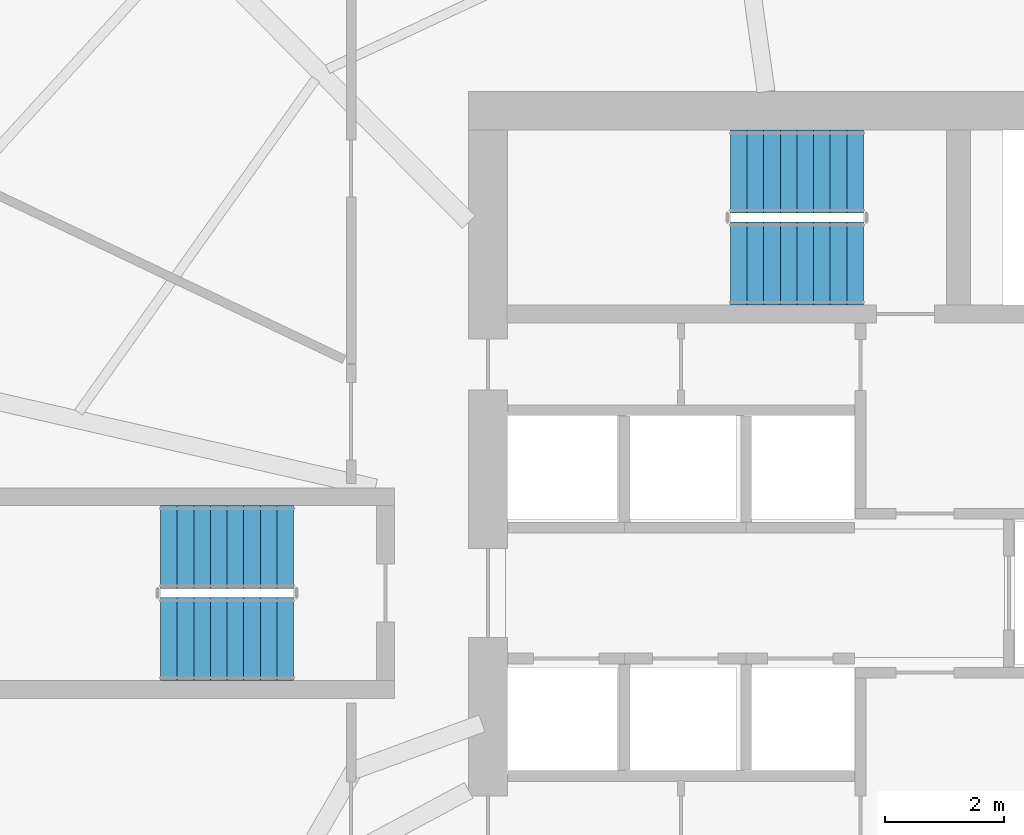
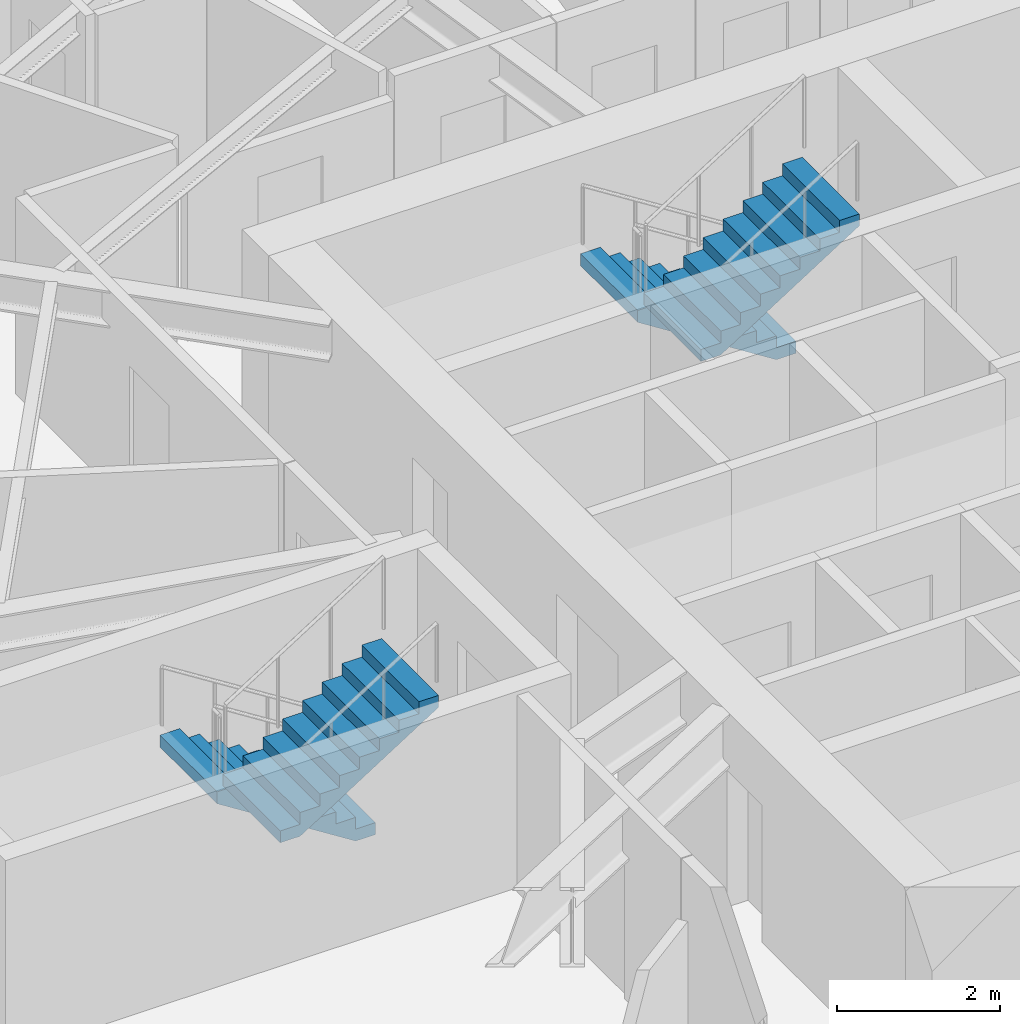
# One storey, part 12 of 17: 4 stair flights, 2 elements without a shape of their own.
"""IFC4 building model written with IfcOpenShell, lengths in metres."""

from ifc_helpers import new_model, si_unit, direction, frame, origin, place, context, subcontext, project, spatial, polyline, outline, extrude, source, transform, mapped, material, type_object, element, aggregate, save


model = new_model("IFC4")

# Units and contexts
model_context = context("Model", 3, precision=1e-05, world=origin(), true_north=direction((0.0, 1.0)))
body_context = subcontext(model_context, "Body", "Model", "MODEL_VIEW")
ifc_project = project(units=[si_unit("LENGTHUNIT", "METRE"), si_unit("AREAUNIT", "SQUARE_METRE"), si_unit("VOLUMEUNIT", "CUBIC_METRE"), si_unit("PLANEANGLEUNIT", "RADIAN"), si_unit("MASSUNIT", "GRAM", prefix="KILO")], contexts=[model_context])

# Site, building, storey
site_placement = place(None, origin())
site = spatial("IfcSite", under=ifc_project, at=site_placement, CompositionType="ELEMENT")
building_placement = place(site_placement, origin())
building = spatial("IfcBuilding", under=site, at=building_placement, Name="Qafzar Sky-Pleat Residences", CompositionType="ELEMENT")
storey_placement = place(building_placement, frame((0.0, 0.0, 108.800048828125)))
storey = spatial("IfcBuildingStorey", under=building, at=storey_placement, Name="L32", CompositionType="ELEMENT", Elevation=108.800048828125)

# Stair, stair flights
ifc_material = material(Name="Concrete C40/50", Category="concrete")
stair_type = type_object("IfcStairType", Name="STAIR-H320", PredefinedType="HALF_TURN_STAIR", material=ifc_material)
stair_1_placement = place(storey_placement, origin())
stair_1 = element("IfcStair", 1, at=stair_1_placement, inside=storey, type_object=stair_type, Name="L32 Protected Exit Stair ST2", PredefinedType="HALF_TURN_STAIR")
stair_flight_type = type_object("IfcStairFlightType", Name="FLIGHT-H320", PredefinedType="STRAIGHT", material=ifc_material)
shared_shape = source(origin(), body_context, "Body", "SweptSolid", [
    extrude(outline(polyline([(0.0, 0.0), (0.0, 0.177734375), (0.280029296875, 0.177734375), (0.280029296875, 0.35546875), (0.56005859375, 0.35546875), (0.56005859375, 0.533447265625), (0.840087890625, 0.533447265625), (0.840087890625, 0.711181640625), (1.1201171875, 0.711181640625), (1.1201171875, 0.888916015625), (1.39990234375, 0.888916015625), (1.39990234375, 1.066650390625), (1.679931640625, 1.066650390625), (1.679931640625, 1.244384765625), (1.9599609375, 1.244384765625), (1.9599609375, 1.422119140625), (2.239990234375, 1.422119140625), (2.239990234375, 1.60009765625), (2.239990234375, 1.24462890625), (0.27978515625, 0.0), (0.0, 0.0)])), frame((0.0, 0.699951171875, 0.0), z_axis=(0.0, -1.0, 0.0), x_axis=(1.0, 0.0, 0.0)), (0.0, 0.0, 1.0), 1.39990234375),
])
stair_flight_1_placement = place(storey_placement, frame((30.800048828125, 33.10009765625, 0.0), z_axis=(0.0, 0.0, 1.0), x_axis=(-1.0, 0.0, 0.0)))
stair_flight_1 = element("IfcStairFlight", 2, at=stair_flight_1_placement, type_object=stair_flight_type, Name="ST2 flight 1", NumberOfRisers=9, NumberOfTreads=8, PredefinedType="STRAIGHT", RiserHeight=0.177777778, TreadLength=0.28, context=body_context, shape_type="MappedRepresentation", body=[
    mapped(shared_shape, transform((0.0, 0.0, 0.0), x_axis=(1.0, 0.0, 0.0), y_axis=(0.0, 1.0, 0.0), z_axis=(0.0, 0.0, 1.0), scale=1.0)),
])
stair_flight_2_placement = place(storey_placement, frame((28.56005859375, 31.550048828125, 1.599853515625), z_axis=(0.0, 0.0, 1.0), x_axis=(1.0, 0.0, 0.0)))
stair_flight_2 = element("IfcStairFlight", 3, at=stair_flight_2_placement, type_object=stair_flight_type, Name="ST2 flight 2", NumberOfRisers=9, NumberOfTreads=8, PredefinedType="STRAIGHT", RiserHeight=0.177777778, TreadLength=0.28, context=body_context, shape_type="MappedRepresentation", body=[
    mapped(shared_shape, transform((0.0, 0.0, 0.0), x_axis=(1.0, 0.0, 0.0), y_axis=(0.0, 1.0, 0.0), z_axis=(0.0, 0.0, 1.0), scale=1.0)),
])
aggregate(stair_1, [stair_flight_1, stair_flight_2])

stair_2_placement = place(storey_placement, origin())
stair_2 = element("IfcStair", 4, at=stair_2_placement, inside=storey, type_object=stair_type, Name="L32 Protected Exit Stair ST3", PredefinedType="HALF_TURN_STAIR")
stair_flight_3_placement = place(storey_placement, frame((21.199951171875, 26.77490234375, 0.0), z_axis=(0.0, 0.0, 1.0), x_axis=(-1.0, 0.0, 0.0)))
stair_flight_3 = element("IfcStairFlight", 5, at=stair_flight_3_placement, type_object=stair_flight_type, Name="ST3 flight 1", NumberOfRisers=9, NumberOfTreads=8, PredefinedType="STRAIGHT", RiserHeight=0.177777778, TreadLength=0.28, context=body_context, shape_type="MappedRepresentation", body=[
    mapped(shared_shape, transform((0.0, 0.0, 0.0), x_axis=(1.0, 0.0, 0.0), y_axis=(0.0, 1.0, 0.0), z_axis=(0.0, 0.0, 1.0), scale=1.0)),
])
stair_flight_4_placement = place(storey_placement, frame((18.9599609375, 25.22509765625, 1.599853515625), z_axis=(0.0, 0.0, 1.0), x_axis=(1.0, 0.0, 0.0)))
stair_flight_4 = element("IfcStairFlight", 6, at=stair_flight_4_placement, type_object=stair_flight_type, Name="ST3 flight 2", NumberOfRisers=9, NumberOfTreads=8, PredefinedType="STRAIGHT", RiserHeight=0.177777778, TreadLength=0.28, context=body_context, shape_type="MappedRepresentation", body=[
    mapped(shared_shape, transform((0.0, 0.0, 0.0), x_axis=(1.0, 0.0, 0.0), y_axis=(0.0, 1.0, 0.0), z_axis=(0.0, 0.0, 1.0), scale=1.0)),
])
aggregate(stair_2, [stair_flight_3, stair_flight_4])

save(model, "model.ifc")
